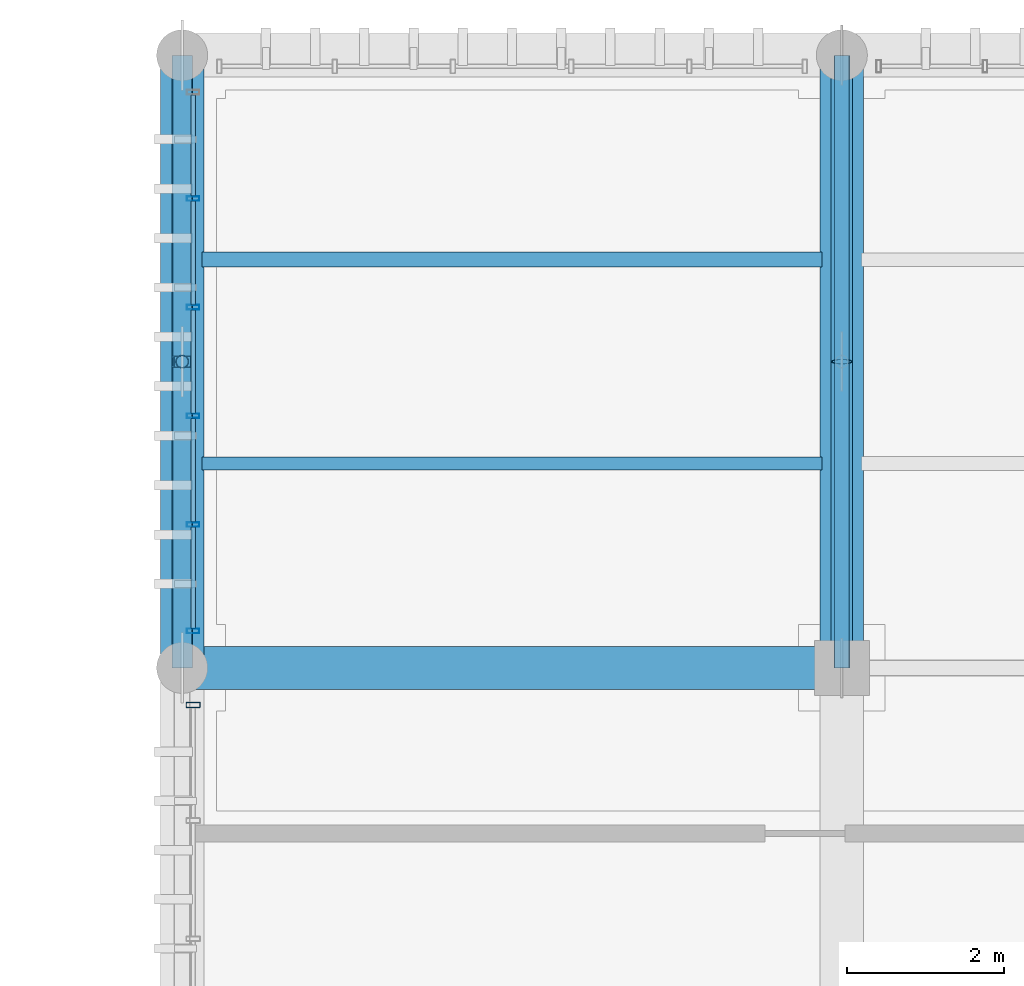
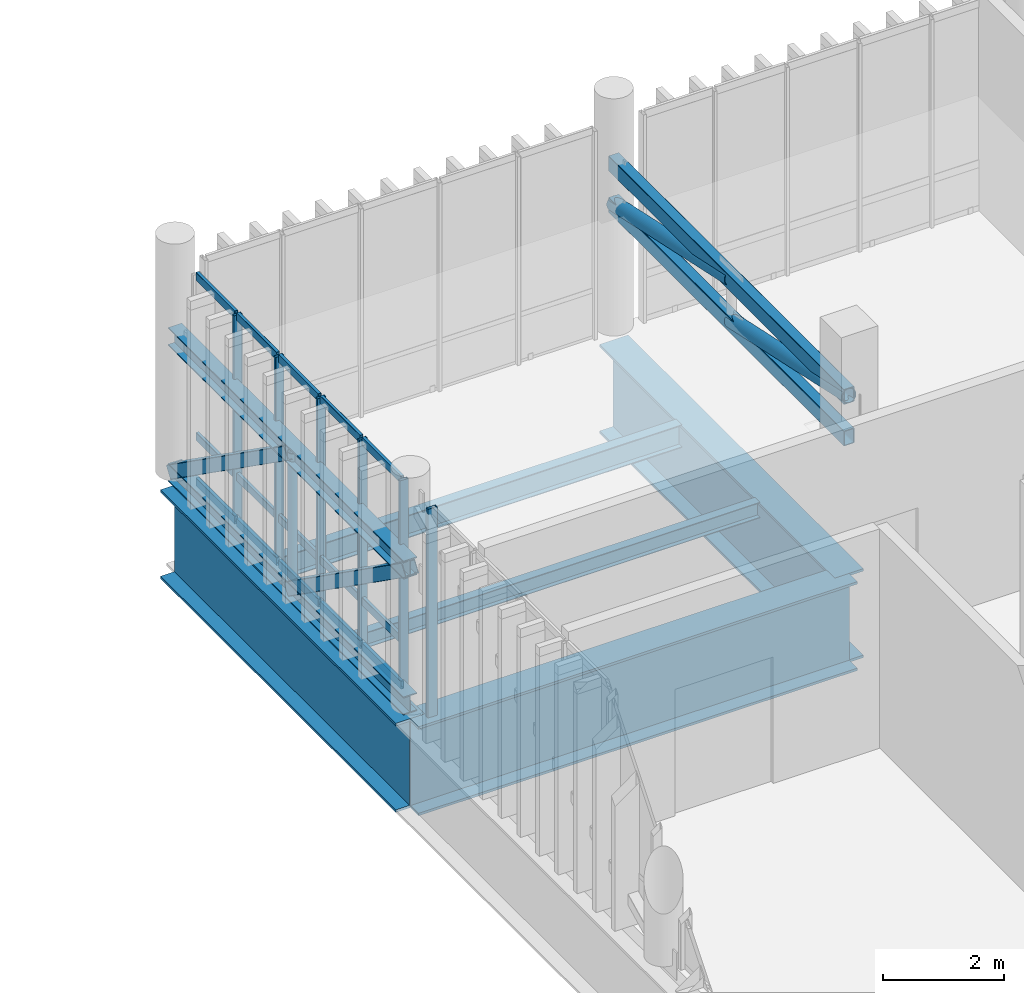
# One storey, part 47 of 81: 30 members, 5 beams, 2 elements without a shape of their own.
"""IFC4 building model written with IfcOpenShell, lengths in metres."""

from ifc_helpers import new_model, si_unit, direction, frame, origin_with_axes, origin_2d_with_axis, place, context, subcontext, project, spatial, hollow_rectangle, hollow_circle, i_section, extrude, material, material_profile, profile_set, type_object, element, aggregate, save


model = new_model("IFC4")

# Units and contexts
model_context = context("Model", 3, precision=1e-05, world=origin_with_axes(), true_north=direction((0.0, 1.0)))
body_context = subcontext(model_context, "Body", "Model", "MODEL_VIEW")
ifc_project = project(units=[si_unit("LENGTHUNIT", "METRE"), si_unit("AREAUNIT", "SQUARE_METRE"), si_unit("VOLUMEUNIT", "CUBIC_METRE"), si_unit("PLANEANGLEUNIT", "RADIAN"), si_unit("MASSUNIT", "GRAM", prefix="KILO"), si_unit("THERMODYNAMICTEMPERATUREUNIT", "KELVIN")], contexts=[model_context])

# Site, building, storey
site_placement = place(None, origin_with_axes())
site = spatial("IfcSite", under=ifc_project, at=site_placement, CompositionType="ELEMENT")
building_placement = place(site_placement, origin_with_axes())
building = spatial("IfcBuilding", under=site, at=building_placement, Name="Montbau Bow Law Courts", CompositionType="ELEMENT")
storey_placement = place(building_placement, frame((0.0, 0.0, 24.9), z_axis=(0.0, 0.0, 1.0), x_axis=(1.0, 0.0, 0.0)))
storey = spatial("IfcBuildingStorey", under=building, at=storey_placement, Name="L05", CompositionType="ELEMENT", Elevation=24.9)

# Beams
ifc_material_1 = material(Name="Steel CSA G40.21 Grade 350W (350 MPa)", Category="steel")
ifc_material_profile_1 = material_profile(ifc_material_1, i_section(OverallWidth=0.191, OverallDepth=0.46, WebThickness=0.0099, FlangeThickness=0.016, at=origin_2d_with_axis()), Name="W460X82", Category="Main", Priority=0)
ifc_profile_set_1 = profile_set([ifc_material_profile_1], Name="Steel CSA G40.21 Grade 350W (350 MPa)")
beam_type_1 = type_object("IfcBeamType", Name="B-JST-01", PredefinedType="JOIST", material=ifc_profile_set_1)
beam_1_placement = place(None, frame((138.851, 108.4, 24.37), z_axis=(1.0, 0.0, 0.0), x_axis=(0.0, 1.0, 0.0)))
element("IfcBeam", 1, at=beam_1_placement, inside=storey, type_object=beam_type_1, Name="JST-L05-S0700:jst2_0700", PredefinedType="JOIST", context=body_context, shape_type="SweptSolid", body=[
    extrude(i_section(OverallWidth=0.191, OverallDepth=0.46, WebThickness=0.0099, FlangeThickness=0.016, at=origin_2d_with_axis()), origin_with_axes(), (0.0, 0.0, 1.0), 7.898),
])
ifc_material_profile_2 = material_profile(ifc_material_1, i_section(OverallWidth=0.166, OverallDepth=0.313, WebThickness=0.0066, FlangeThickness=0.0112, at=origin_2d_with_axis()), Name="W310X45", Category="Main", Priority=0)
ifc_profile_set_2 = profile_set([ifc_material_profile_2], Name="Steel CSA G40.21 Grade 350W (350 MPa)")
beam_type_2 = type_object("IfcBeamType", Name="B-JST-04", PredefinedType="JOIST", material=ifc_profile_set_2)
beam_2_placement = place(None, frame((138.851, 105.8, 24.444), z_axis=(1.0, 0.0, 0.0), x_axis=(0.0, 1.0, 0.0)))
element("IfcBeam", 2, at=beam_2_placement, inside=storey, type_object=beam_type_2, Name="JST-L05-S0699:jst2_0699", PredefinedType="JOIST", context=body_context, shape_type="SweptSolid", body=[
    extrude(i_section(OverallWidth=0.166, OverallDepth=0.313, WebThickness=0.0066, FlangeThickness=0.0112, at=origin_2d_with_axis()), origin_with_axes(), (0.0, 0.0, 1.0), 7.898),
])
ifc_material_2 = material(Name="Steel CSA G40.21 Grade 350WT (350 MPa)", Category="steel")
ifc_material_profile_3 = material_profile(ifc_material_2, i_section(OverallWidth=0.55, OverallDepth=1.8, WebThickness=0.022, FlangeThickness=0.05, at=origin_2d_with_axis()), Name="WWF1800X550", Category="Main", Priority=0)
ifc_profile_set_3 = profile_set([ifc_material_profile_3], Name="Steel CSA G40.21 Grade 350WT (350 MPa)")
beam_type_3 = type_object("IfcBeamType", Name="B-TRG-01", PredefinedType="USERDEFINED", material=ifc_profile_set_3)
for number, where, z_axis, x_axis, name in (
    (3, (138.6, 103.2, 23.7), (0.0, 1.0, 0.0), (-1.0, 0.0, 0.0), "TRG-L05-S0077:bm2_0080"),
    (4, (147.0, 103.2, 23.7), (0.0, 1.0, 0.0), (-1.0, 0.0, 0.0), "TRG-L05-S0079:bm2_0082"),
):
    element("IfcBeam", number, at=place(None, frame(where, z_axis=z_axis, x_axis=x_axis)), inside=storey, type_object=beam_type_3, Name=name, ObjectType="GIRDER", PredefinedType="USERDEFINED", context=body_context, shape_type="SweptSolid", body=[
        extrude(i_section(OverallWidth=0.55, OverallDepth=1.8, WebThickness=0.022, FlangeThickness=0.05, at=origin_2d_with_axis()), origin_with_axes(), (0.0, 0.0, 1.0), 7.8),
    ])
beam_3_placement = place(None, frame((138.6, 103.2, 23.7), z_axis=(1.0, 0.0, 0.0), x_axis=(0.0, 1.0, 0.0)))
element("IfcBeam", 5, at=beam_3_placement, inside=storey, type_object=beam_type_3, Name="TRG-L05-S0094:bm2_0097", ObjectType="GIRDER", PredefinedType="USERDEFINED", context=body_context, shape_type="SweptSolid", body=[
    extrude(i_section(OverallWidth=0.55, OverallDepth=1.8, WebThickness=0.022, FlangeThickness=0.05, at=origin_2d_with_axis()), origin_with_axes(), (0.0, 0.0, 1.0), 8.4),
])

# Members
ifc_material_profile_4 = material_profile(ifc_material_1, hollow_rectangle(XDim=0.254, YDim=0.254, WallThickness=0.0127, InnerFilletRadius=0.0254, OuterFilletRadius=0.0127, at=origin_2d_with_axis()), Name="HSS254X254X13", Category="Main", Priority=0)
ifc_profile_set_4 = profile_set([ifc_material_profile_4], Name="Steel CSA G40.21 Grade 350W (350 MPa)")
member_type_1 = type_object("IfcMemberType", Name="M-BRC-01", PredefinedType="BRACE", material=ifc_profile_set_4)
for number, where, z_axis, x_axis, name in (
    (6, (138.6, 103.2, 27.65), (0.0, 0.817258134, -0.576271761), (-1.0, 0.0, 0.0), "Diagonal brace BRC-L05-019"),
    (7, (138.6, 107.1, 27.65), (0.0, 0.817258134, -0.576271761), (-1.0, 0.0, 0.0), "Diagonal brace BRC-L05-020"),
):
    element("IfcMember", number, at=place(None, frame(where, z_axis=z_axis, x_axis=x_axis)), inside=storey, type_object=member_type_1, Name=name, PredefinedType="BRACE", context=body_context, shape_type="SweptSolid", body=[
        extrude(hollow_rectangle(XDim=0.254, YDim=0.254, WallThickness=0.0127, InnerFilletRadius=0.0254, OuterFilletRadius=0.0127, at=origin_2d_with_axis()), origin_with_axes(), (0.0, 0.0, 1.0), 4.772054),
    ])
ifc_material_profile_5 = material_profile(ifc_material_1, hollow_circle(Radius=0.1365, WallThickness=0.0127, at=origin_2d_with_axis()), Name="HSS273X13", Category="Main", Priority=0)
ifc_profile_set_5 = profile_set([ifc_material_profile_5], Name="Steel CSA G40.21 Grade 350W (350 MPa)")
member_type_2 = type_object("IfcMemberType", Name="M-BRC-03", PredefinedType="BRACE", material=ifc_profile_set_5)
for number, where, z_axis, x_axis, name in (
    (8, (147.0, 103.2, 28.2), (0.0, 0.977581781, -0.210556076), (-1.0, 0.0, 0.0), "Diagonal brace BRC-L05-021"),
    (9, (147.0, 107.1, 28.2), (0.0, 0.977581781, -0.210556076), (-1.0, 0.0, 0.0), "Diagonal brace BRC-L05-022"),
):
    element("IfcMember", number, at=place(None, frame(where, z_axis=z_axis, x_axis=x_axis)), inside=storey, type_object=member_type_2, Name=name, PredefinedType="BRACE", context=body_context, shape_type="SweptSolid", body=[
        extrude(hollow_circle(Radius=0.1365, WallThickness=0.0127, at=origin_2d_with_axis()), origin_with_axes(), (0.0, 0.0, 1.0), 3.989436),
    ])
ifc_material_profile_6 = material_profile(ifc_material_2, i_section(OverallWidth=0.257, OverallDepth=0.363, WebThickness=0.013, FlangeThickness=0.0217, at=origin_2d_with_axis()), Name="W360X122", Category="Main", Priority=0)
ifc_profile_set_6 = profile_set([ifc_material_profile_6], Name="Steel CSA G40.21 Grade 350WT (350 MPa)")
member_type_3 = type_object("IfcMemberType", Name="M-CHD-01", PredefinedType="CHORD", material=ifc_profile_set_6)
for number, where, z_axis, x_axis, name in (
    (10, (138.6, 103.2, 24.9), (0.0, 1.0, 0.0), (-1.0, 0.0, 0.0), "CHB-L05-10:chb_0010"),
    (11, (138.6, 103.2, 27.65), (0.0, 1.0, 0.0), (-1.0, 0.0, 0.0), "CHD-L05-10:mbr_0037"),
):
    element("IfcMember", number, at=place(None, frame(where, z_axis=z_axis, x_axis=x_axis)), inside=storey, type_object=member_type_3, Name=name, PredefinedType="CHORD", context=body_context, shape_type="SweptSolid", body=[
        extrude(i_section(OverallWidth=0.257, OverallDepth=0.363, WebThickness=0.013, FlangeThickness=0.0217, at=origin_2d_with_axis()), origin_with_axes(), (0.0, 0.0, 1.0), 7.8),
    ])
ifc_material_profile_7 = material_profile(ifc_material_2, hollow_rectangle(XDim=0.203, YDim=0.305, WallThickness=0.0127, InnerFilletRadius=0.0254, OuterFilletRadius=0.0127, at=origin_2d_with_axis()), Name="HSS305X203X13", Category="Main", Priority=0)
ifc_profile_set_7 = profile_set([ifc_material_profile_7], Name="Steel CSA G40.21 Grade 350WT (350 MPa)")
member_type_4 = type_object("IfcMemberType", Name="M-CHD-02", PredefinedType="CHORD", material=ifc_profile_set_7)
for number, where, z_axis, x_axis, name in (
    (12, (147.0, 103.2, 27.36), (0.0, 1.0, 0.0), (-1.0, 0.0, 0.0), "CHB-L05-11:chb_0011"),
    (13, (147.0, 103.2, 28.2), (0.0, 1.0, 0.0), (-1.0, 0.0, 0.0), "CHD-L05-11:mbr_0041"),
):
    element("IfcMember", number, at=place(None, frame(where, z_axis=z_axis, x_axis=x_axis)), inside=storey, type_object=member_type_4, Name=name, PredefinedType="CHORD", context=body_context, shape_type="SweptSolid", body=[
        extrude(hollow_rectangle(XDim=0.203, YDim=0.305, WallThickness=0.0127, InnerFilletRadius=0.0254, OuterFilletRadius=0.0127, at=origin_2d_with_axis()), origin_with_axes(), (0.0, 0.0, 1.0), 7.8),
    ])

# Curtain wall, member
ifc_material_3 = material(Name="Thermally Broken Extruded Aluminium AA 6063-T6", Category="aluminium")
curtain_wall_type = type_object("IfcCurtainWallType", Name="CW-SLT-02", PredefinedType="NOTDEFINED", material=ifc_material_3)
curtain_wall_1_placement = place(None, frame((138.74, 95.24, 24.9), z_axis=(0.0, 0.0, 1.0), x_axis=(1.0, 0.0, 0.0)))
curtain_wall_1 = element("IfcCurtainWall", 14, at=curtain_wall_1_placement, inside=storey, type_object=curtain_wall_type, Name="CW-L05-343:cw_0343", PredefinedType="NOTDEFINED")
ifc_material_profile_8 = material_profile(ifc_material_3, hollow_rectangle(XDim=0.065, YDim=0.18, WallThickness=0.005, InnerFilletRadius=0.01, OuterFilletRadius=0.005, at=origin_2d_with_axis()), Name="CWM-180X65", Category="Main", Priority=0)
ifc_profile_set_8 = profile_set([ifc_material_profile_8], Name="Thermally Broken Extruded Aluminium AA 6063-T6")
member_type_5 = type_object("IfcMemberType", Name="M-MUL-02", PredefinedType="MULLION", material=ifc_profile_set_8)
member_1_placement = place(None, frame((138.74, 102.728, 24.9), z_axis=(0.0, 0.0, 1.0), x_axis=(0.0, 1.0, 0.0)))
member_1 = element("IfcMember", 15, at=member_1_placement, type_object=member_type_5, Name="CW-L05-343-M06:cw_0343_M06", PredefinedType="MULLION", context=body_context, shape_type="SweptSolid", body=[
    extrude(hollow_rectangle(XDim=0.065, YDim=0.18, WallThickness=0.005, InnerFilletRadius=0.01, OuterFilletRadius=0.005, at=origin_2d_with_axis()), origin_with_axes(), (0.0, 0.0, 1.0), 4.22),
])
aggregate(curtain_wall_1, [member_1])

# Curtain wall, members
curtain_wall_2_placement = place(None, frame((138.74, 103.64, 24.9), z_axis=(0.0, 0.0, 1.0), x_axis=(1.0, 0.0, 0.0)))
curtain_wall_2 = element("IfcCurtainWall", 16, at=curtain_wall_2_placement, inside=storey, type_object=curtain_wall_type, Name="CW-L05-344:cw_0344", PredefinedType="NOTDEFINED")
ifc_material_profile_9 = material_profile(ifc_material_3, hollow_rectangle(XDim=0.06, YDim=0.16, WallThickness=0.004, InnerFilletRadius=0.008, OuterFilletRadius=0.004, at=origin_2d_with_axis()), Name="CWM-160X60", Category="Main", Priority=0)
ifc_profile_set_9 = profile_set([ifc_material_profile_9], Name="Thermally Broken Extruded Aluminium AA 6063-T6")
member_type_6 = type_object("IfcMemberType", Name="M-MUL-03", PredefinedType="MULLION", material=ifc_profile_set_9)
member_2_placement = place(None, frame((138.74, 103.67, 24.9), z_axis=(0.0, 0.0, 1.0), x_axis=(0.0, 1.0, 0.0)))
member_2 = element("IfcMember", 17, at=member_2_placement, type_object=member_type_6, Name="CW-L05-344-M01:cw_0344_M01", PredefinedType="MULLION", context=body_context, shape_type="SweptSolid", body=[
    extrude(hollow_rectangle(XDim=0.06, YDim=0.16, WallThickness=0.004, InnerFilletRadius=0.008, OuterFilletRadius=0.004, at=origin_2d_with_axis()), origin_with_axes(), (0.0, 0.0, 1.0), 4.22),
])
member_3_placement = place(None, frame((138.74, 105.024, 24.9), z_axis=(0.0, 0.0, 1.0), x_axis=(0.0, 1.0, 0.0)))
member_3 = element("IfcMember", 18, at=member_3_placement, type_object=member_type_6, Name="CW-L05-344-M02:cw_0344_M02", PredefinedType="MULLION", context=body_context, shape_type="SweptSolid", body=[
    extrude(hollow_rectangle(XDim=0.06, YDim=0.16, WallThickness=0.004, InnerFilletRadius=0.008, OuterFilletRadius=0.004, at=origin_2d_with_axis()), origin_with_axes(), (0.0, 0.0, 1.0), 4.22),
])
member_4_placement = place(None, frame((138.74, 106.408, 24.9), z_axis=(0.0, 0.0, 1.0), x_axis=(0.0, 1.0, 0.0)))
member_4 = element("IfcMember", 19, at=member_4_placement, type_object=member_type_6, Name="CW-L05-344-M03:cw_0344_M03", PredefinedType="MULLION", context=body_context, shape_type="SweptSolid", body=[
    extrude(hollow_rectangle(XDim=0.06, YDim=0.16, WallThickness=0.004, InnerFilletRadius=0.008, OuterFilletRadius=0.004, at=origin_2d_with_axis()), origin_with_axes(), (0.0, 0.0, 1.0), 4.22),
])
member_5_placement = place(None, frame((138.74, 107.792, 24.9), z_axis=(0.0, 0.0, 1.0), x_axis=(0.0, 1.0, 0.0)))
member_5 = element("IfcMember", 20, at=member_5_placement, type_object=member_type_6, Name="CW-L05-344-M04:cw_0344_M04", PredefinedType="MULLION", context=body_context, shape_type="SweptSolid", body=[
    extrude(hollow_rectangle(XDim=0.06, YDim=0.16, WallThickness=0.004, InnerFilletRadius=0.008, OuterFilletRadius=0.004, at=origin_2d_with_axis()), origin_with_axes(), (0.0, 0.0, 1.0), 4.22),
])
member_6_placement = place(None, frame((138.74, 109.176, 24.9), z_axis=(0.0, 0.0, 1.0), x_axis=(0.0, 1.0, 0.0)))
member_6 = element("IfcMember", 21, at=member_6_placement, type_object=member_type_6, Name="CW-L05-344-M05:cw_0344_M05", PredefinedType="MULLION", context=body_context, shape_type="SweptSolid", body=[
    extrude(hollow_rectangle(XDim=0.06, YDim=0.16, WallThickness=0.004, InnerFilletRadius=0.008, OuterFilletRadius=0.004, at=origin_2d_with_axis()), origin_with_axes(), (0.0, 0.0, 1.0), 4.22),
])

# Member
ifc_material_profile_10 = material_profile(ifc_material_1, hollow_circle(Radius=0.084, WallThickness=0.0095, at=origin_2d_with_axis()), Name="HSS168X9.5", Category="Main", Priority=0)
ifc_profile_set_10 = profile_set([ifc_material_profile_10], Name="Steel CSA G40.21 Grade 350W (350 MPa)")
member_type_7 = type_object("IfcMemberType", Name="M-STR-01", PredefinedType="STRUT", material=ifc_profile_set_10)
member_7_placement = place(None, frame((138.6, 107.1, 24.9), z_axis=(0.0, 0.0, 1.0), x_axis=(1.0, 0.0, 0.0)))
element("IfcMember", 22, at=member_7_placement, inside=storey, type_object=member_type_7, Name="STR-L05-10:mbr_0040", PredefinedType="STRUT", context=body_context, shape_type="SweptSolid", body=[
    extrude(hollow_circle(Radius=0.084, WallThickness=0.0095, at=origin_2d_with_axis()), origin_with_axes(), (0.0, 0.0, 1.0), 2.75),
])

ifc_material_profile_11 = material_profile(ifc_material_3, hollow_rectangle(XDim=0.06, YDim=0.16, WallThickness=0.004, InnerFilletRadius=0.008, OuterFilletRadius=0.004, at=origin_2d_with_axis()), Name="CWT-160X60", Category="Main", Priority=0)
ifc_profile_set_11 = profile_set([ifc_material_profile_11], Name="Thermally Broken Extruded Aluminium AA 6063-T6")
member_type_8 = type_object("IfcMemberType", Name="M-TRN-01", PredefinedType="USERDEFINED", material=ifc_profile_set_11)
member_8_placement = place(None, frame((138.74, 103.702, 24.93), z_axis=(0.0, 1.0, 0.0), x_axis=(-1.0, 0.0, 0.0)))
member_8 = element("IfcMember", 23, at=member_8_placement, type_object=member_type_8, Name="CW-L05-344-T01-1:cw_0344_T01_1", ObjectType="TRANSOM", PredefinedType="USERDEFINED", context=body_context, shape_type="SweptSolid", body=[
    extrude(hollow_rectangle(XDim=0.06, YDim=0.16, WallThickness=0.004, InnerFilletRadius=0.008, OuterFilletRadius=0.004, at=origin_2d_with_axis()), origin_with_axes(), (0.0, 0.0, 1.0), 1.29),
])

member_9_placement = place(None, frame((138.74, 103.702, 25.85), z_axis=(0.0, 1.0, 0.0), x_axis=(-1.0, 0.0, 0.0)))
member_9 = element("IfcMember", 24, at=member_9_placement, type_object=member_type_8, Name="CW-L05-344-T01-2:cw_0344_T01_2", ObjectType="TRANSOM", PredefinedType="USERDEFINED", context=body_context, shape_type="SweptSolid", body=[
    extrude(hollow_rectangle(XDim=0.06, YDim=0.16, WallThickness=0.004, InnerFilletRadius=0.008, OuterFilletRadius=0.004, at=origin_2d_with_axis()), origin_with_axes(), (0.0, 0.0, 1.0), 1.29),
])

member_10_placement = place(None, frame((138.74, 103.702, 29.09), z_axis=(0.0, 1.0, 0.0), x_axis=(-1.0, 0.0, 0.0)))
member_10 = element("IfcMember", 25, at=member_10_placement, type_object=member_type_8, Name="CW-L05-344-T01-3:cw_0344_T01_3", ObjectType="TRANSOM", PredefinedType="USERDEFINED", context=body_context, shape_type="SweptSolid", body=[
    extrude(hollow_rectangle(XDim=0.06, YDim=0.16, WallThickness=0.004, InnerFilletRadius=0.008, OuterFilletRadius=0.004, at=origin_2d_with_axis()), origin_with_axes(), (0.0, 0.0, 1.0), 1.29),
])

member_11_placement = place(None, frame((138.74, 105.056, 24.93), z_axis=(0.0, 1.0, 0.0), x_axis=(-1.0, 0.0, 0.0)))
member_11 = element("IfcMember", 26, at=member_11_placement, type_object=member_type_8, Name="CW-L05-344-T02-1:cw_0344_T02_1", ObjectType="TRANSOM", PredefinedType="USERDEFINED", context=body_context, shape_type="SweptSolid", body=[
    extrude(hollow_rectangle(XDim=0.06, YDim=0.16, WallThickness=0.004, InnerFilletRadius=0.008, OuterFilletRadius=0.004, at=origin_2d_with_axis()), origin_with_axes(), (0.0, 0.0, 1.0), 1.32),
])

member_12_placement = place(None, frame((138.74, 105.056, 25.85), z_axis=(0.0, 1.0, 0.0), x_axis=(-1.0, 0.0, 0.0)))
member_12 = element("IfcMember", 27, at=member_12_placement, type_object=member_type_8, Name="CW-L05-344-T02-2:cw_0344_T02_2", ObjectType="TRANSOM", PredefinedType="USERDEFINED", context=body_context, shape_type="SweptSolid", body=[
    extrude(hollow_rectangle(XDim=0.06, YDim=0.16, WallThickness=0.004, InnerFilletRadius=0.008, OuterFilletRadius=0.004, at=origin_2d_with_axis()), origin_with_axes(), (0.0, 0.0, 1.0), 1.32),
])

member_13_placement = place(None, frame((138.74, 105.056, 29.09), z_axis=(0.0, 1.0, 0.0), x_axis=(-1.0, 0.0, 0.0)))
member_13 = element("IfcMember", 28, at=member_13_placement, type_object=member_type_8, Name="CW-L05-344-T02-3:cw_0344_T02_3", ObjectType="TRANSOM", PredefinedType="USERDEFINED", context=body_context, shape_type="SweptSolid", body=[
    extrude(hollow_rectangle(XDim=0.06, YDim=0.16, WallThickness=0.004, InnerFilletRadius=0.008, OuterFilletRadius=0.004, at=origin_2d_with_axis()), origin_with_axes(), (0.0, 0.0, 1.0), 1.32),
])

member_14_placement = place(None, frame((138.74, 106.44, 24.93), z_axis=(0.0, 1.0, 0.0), x_axis=(-1.0, 0.0, 0.0)))
member_14 = element("IfcMember", 29, at=member_14_placement, type_object=member_type_8, Name="CW-L05-344-T03-1:cw_0344_T03_1", ObjectType="TRANSOM", PredefinedType="USERDEFINED", context=body_context, shape_type="SweptSolid", body=[
    extrude(hollow_rectangle(XDim=0.06, YDim=0.16, WallThickness=0.004, InnerFilletRadius=0.008, OuterFilletRadius=0.004, at=origin_2d_with_axis()), origin_with_axes(), (0.0, 0.0, 1.0), 1.32),
])

member_15_placement = place(None, frame((138.74, 106.44, 25.85), z_axis=(0.0, 1.0, 0.0), x_axis=(-1.0, 0.0, 0.0)))
member_15 = element("IfcMember", 30, at=member_15_placement, type_object=member_type_8, Name="CW-L05-344-T03-2:cw_0344_T03_2", ObjectType="TRANSOM", PredefinedType="USERDEFINED", context=body_context, shape_type="SweptSolid", body=[
    extrude(hollow_rectangle(XDim=0.06, YDim=0.16, WallThickness=0.004, InnerFilletRadius=0.008, OuterFilletRadius=0.004, at=origin_2d_with_axis()), origin_with_axes(), (0.0, 0.0, 1.0), 1.32),
])

member_16_placement = place(None, frame((138.74, 106.44, 29.09), z_axis=(0.0, 1.0, 0.0), x_axis=(-1.0, 0.0, 0.0)))
member_16 = element("IfcMember", 31, at=member_16_placement, type_object=member_type_8, Name="CW-L05-344-T03-3:cw_0344_T03_3", ObjectType="TRANSOM", PredefinedType="USERDEFINED", context=body_context, shape_type="SweptSolid", body=[
    extrude(hollow_rectangle(XDim=0.06, YDim=0.16, WallThickness=0.004, InnerFilletRadius=0.008, OuterFilletRadius=0.004, at=origin_2d_with_axis()), origin_with_axes(), (0.0, 0.0, 1.0), 1.32),
])

member_17_placement = place(None, frame((138.74, 107.824, 24.93), z_axis=(0.0, 1.0, 0.0), x_axis=(-1.0, 0.0, 0.0)))
member_17 = element("IfcMember", 32, at=member_17_placement, type_object=member_type_8, Name="CW-L05-344-T04-1:cw_0344_T04_1", ObjectType="TRANSOM", PredefinedType="USERDEFINED", context=body_context, shape_type="SweptSolid", body=[
    extrude(hollow_rectangle(XDim=0.06, YDim=0.16, WallThickness=0.004, InnerFilletRadius=0.008, OuterFilletRadius=0.004, at=origin_2d_with_axis()), origin_with_axes(), (0.0, 0.0, 1.0), 1.32),
])

member_18_placement = place(None, frame((138.74, 107.824, 25.85), z_axis=(0.0, 1.0, 0.0), x_axis=(-1.0, 0.0, 0.0)))
member_18 = element("IfcMember", 33, at=member_18_placement, type_object=member_type_8, Name="CW-L05-344-T04-2:cw_0344_T04_2", ObjectType="TRANSOM", PredefinedType="USERDEFINED", context=body_context, shape_type="SweptSolid", body=[
    extrude(hollow_rectangle(XDim=0.06, YDim=0.16, WallThickness=0.004, InnerFilletRadius=0.008, OuterFilletRadius=0.004, at=origin_2d_with_axis()), origin_with_axes(), (0.0, 0.0, 1.0), 1.32),
])

member_19_placement = place(None, frame((138.74, 107.824, 29.09), z_axis=(0.0, 1.0, 0.0), x_axis=(-1.0, 0.0, 0.0)))
member_19 = element("IfcMember", 34, at=member_19_placement, type_object=member_type_8, Name="CW-L05-344-T04-3:cw_0344_T04_3", ObjectType="TRANSOM", PredefinedType="USERDEFINED", context=body_context, shape_type="SweptSolid", body=[
    extrude(hollow_rectangle(XDim=0.06, YDim=0.16, WallThickness=0.004, InnerFilletRadius=0.008, OuterFilletRadius=0.004, at=origin_2d_with_axis()), origin_with_axes(), (0.0, 0.0, 1.0), 1.32),
])

member_20_placement = place(None, frame((138.74, 109.208, 24.93), z_axis=(0.0, 1.0, 0.0), x_axis=(-1.0, 0.0, 0.0)))
member_20 = element("IfcMember", 35, at=member_20_placement, type_object=member_type_8, Name="CW-L05-344-T05-1:cw_0344_T05_1", ObjectType="TRANSOM", PredefinedType="USERDEFINED", context=body_context, shape_type="SweptSolid", body=[
    extrude(hollow_rectangle(XDim=0.06, YDim=0.16, WallThickness=0.004, InnerFilletRadius=0.008, OuterFilletRadius=0.004, at=origin_2d_with_axis()), origin_with_axes(), (0.0, 0.0, 1.0), 1.29),
])

member_21_placement = place(None, frame((138.74, 109.208, 25.85), z_axis=(0.0, 1.0, 0.0), x_axis=(-1.0, 0.0, 0.0)))
member_21 = element("IfcMember", 36, at=member_21_placement, type_object=member_type_8, Name="CW-L05-344-T05-2:cw_0344_T05_2", ObjectType="TRANSOM", PredefinedType="USERDEFINED", context=body_context, shape_type="SweptSolid", body=[
    extrude(hollow_rectangle(XDim=0.06, YDim=0.16, WallThickness=0.004, InnerFilletRadius=0.008, OuterFilletRadius=0.004, at=origin_2d_with_axis()), origin_with_axes(), (0.0, 0.0, 1.0), 1.29),
])

member_22_placement = place(None, frame((138.74, 109.208, 29.09), z_axis=(0.0, 1.0, 0.0), x_axis=(-1.0, 0.0, 0.0)))
member_22 = element("IfcMember", 37, at=member_22_placement, type_object=member_type_8, Name="CW-L05-344-T05-3:cw_0344_T05_3", ObjectType="TRANSOM", PredefinedType="USERDEFINED", context=body_context, shape_type="SweptSolid", body=[
    extrude(hollow_rectangle(XDim=0.06, YDim=0.16, WallThickness=0.004, InnerFilletRadius=0.008, OuterFilletRadius=0.004, at=origin_2d_with_axis()), origin_with_axes(), (0.0, 0.0, 1.0), 1.29),
])

aggregate(curtain_wall_2, [member_2, member_3, member_4, member_5, member_6, member_8, member_9, member_10, member_11, member_12, member_13, member_14, member_15, member_16, member_17, member_18, member_19, member_20, member_21, member_22])

save(model, "model.ifc")
